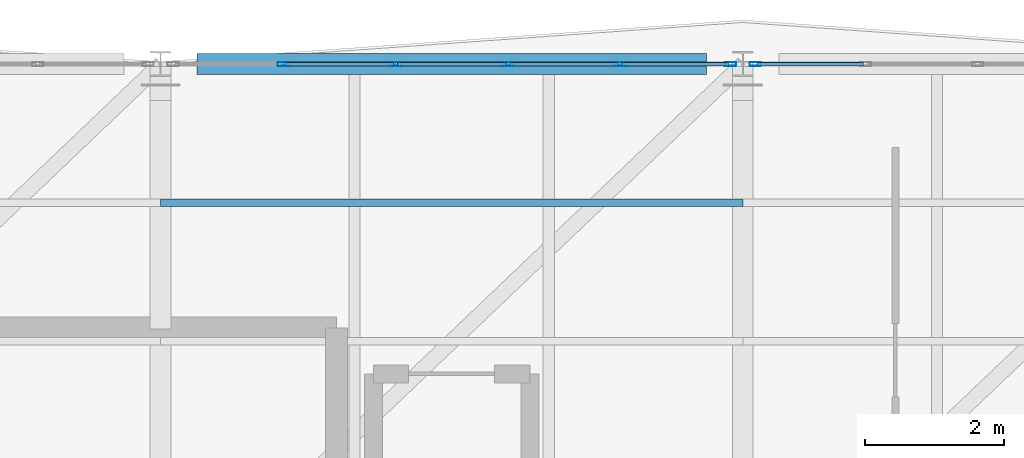
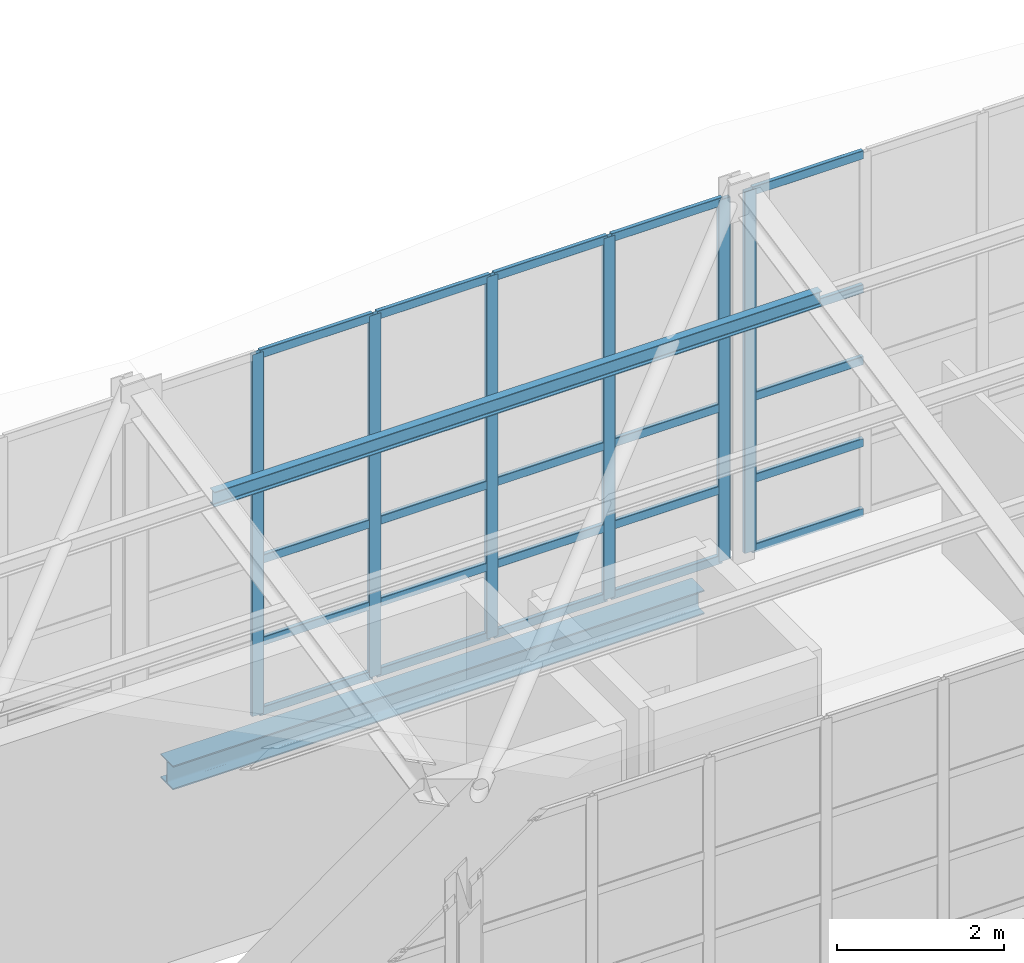
# One storey, part 118 of 177: 32 members, 1 beam, 2 elements without a shape of their own.
"""IFC4 building model written with IfcOpenShell, lengths in metres."""

from ifc_helpers import new_model, si_unit, direction, frame, origin, origin_2d, place, context, subcontext, project, spatial, hollow_rectangle, i_section, extrude, material, layer, layer_set, material_profile, profile_set, type_object, element, aggregate, save


model = new_model("IFC4")

# Units and contexts
model_context = context("Model", 3, precision=1e-05, world=origin(), true_north=direction((0.0, 1.0)))
body_context = subcontext(model_context, "Body", "Model", "MODEL_VIEW")
ifc_project = project(units=[si_unit("LENGTHUNIT", "METRE"), si_unit("AREAUNIT", "SQUARE_METRE"), si_unit("VOLUMEUNIT", "CUBIC_METRE"), si_unit("PLANEANGLEUNIT", "RADIAN"), si_unit("MASSUNIT", "GRAM", prefix="KILO"), si_unit("THERMODYNAMICTEMPERATUREUNIT", "KELVIN"), si_unit("POWERUNIT", "WATT")], contexts=[model_context])

# Site, building, storey
site_placement = place(None, origin())
site = spatial("IfcSite", under=ifc_project, at=site_placement, CompositionType="ELEMENT")
building_placement = place(site_placement, origin())
building = spatial("IfcBuilding", under=site, at=building_placement, Name="Mavoryth Pier Ferry Terminal", CompositionType="ELEMENT")
storey_placement = place(building_placement, frame((0.0, 0.0, 5.43994140625)))
storey = spatial("IfcBuildingStorey", under=building, at=storey_placement, Name="L01", CompositionType="ELEMENT", Elevation=5.43994140625)

# Curtain wall, members
ifc_material_1 = material(Name="Anodised Aluminium and Solar-Control Low-E Glass", Category="aluminium")
ifc_layer = layer(ifc_material_1, 0.139892578125, Name="Anodised Aluminium and Solar-Control Low-E Glass", Category="aluminium")
ifc_layer_set = layer_set([ifc_layer], Name="Anodised Aluminium and Solar-Control Low-E Glass - CW-Gallery-Mod1600")
curtain_wall_type = type_object("IfcCurtainWallType", Name="CW-Gallery-Mod1600", PredefinedType="USERDEFINED", material=ifc_layer_set)
curtain_wall_1_placement = place(storey_placement, origin())
curtain_wall_1 = element("IfcCurtainWall", 1, at=curtain_wall_1_placement, inside=storey, type_object=curtain_wall_type, Name="Curtain Wall CW-0122-092", ObjectType="UNITISED CURTAIN WALL", PredefinedType="USERDEFINED")
ifc_material_2 = material(Name="Anodised Aluminium EN AW-6063", Category="aluminium")
ifc_material_profile_1 = material_profile(ifc_material_2, hollow_rectangle(XDim=0.06005859375, YDim=0.1650390625, WallThickness=0.00390625, InnerFilletRadius=0.00390625, OuterFilletRadius=0.008056640625, at=origin_2d()), Name="AL-MULL 165x60x4", Category="aluminium")
ifc_profile_set_1 = profile_set([ifc_material_profile_1], Name="Anodised Aluminium EN AW-6063 - AL-MULL 165x60x4")
member_type_1 = type_object("IfcMemberType", Name="Mullion-Alum-165x60", PredefinedType="MULLION", material=ifc_profile_set_1)
member_1_placement = place(storey_placement, frame((142.6201171875, 114.0, 0.0), z_axis=(0.0, 0.0, 1.0), x_axis=(0.0, -1.0, 0.0)))
member_1 = element("IfcMember", 2, at=member_1_placement, type_object=member_type_1, Name="CW05 mullion 1", PredefinedType="MULLION", context=body_context, shape_type="SweptSolid", body=[
    extrude(hollow_rectangle(XDim=0.06005859375, YDim=0.1650390625, WallThickness=0.00390625, InnerFilletRadius=0.00390625, OuterFilletRadius=0.008056640625, at=origin_2d()), origin(), (0.0, 0.0, 1.0), 5.28759765625),
])
member_2_placement = place(storey_placement, frame((141.030029296875, 114.0, 0.0), z_axis=(0.0, 0.0, 1.0), x_axis=(0.0, -1.0, 0.0)))
member_2 = element("IfcMember", 3, at=member_2_placement, type_object=member_type_1, Name="CW05 mullion 2", PredefinedType="MULLION", context=body_context, shape_type="SweptSolid", body=[
    extrude(hollow_rectangle(XDim=0.06005859375, YDim=0.1650390625, WallThickness=0.00390625, InnerFilletRadius=0.00390625, OuterFilletRadius=0.008056640625, at=origin_2d()), origin(), (0.0, 0.0, 1.0), 5.28759765625),
])
member_3_placement = place(storey_placement, frame((139.409912109375, 114.0, 0.0), z_axis=(0.0, 0.0, 1.0), x_axis=(0.0, -1.0, 0.0)))
member_3 = element("IfcMember", 4, at=member_3_placement, type_object=member_type_1, Name="CW05 mullion 3", PredefinedType="MULLION", context=body_context, shape_type="SweptSolid", body=[
    extrude(hollow_rectangle(XDim=0.06005859375, YDim=0.1650390625, WallThickness=0.00390625, InnerFilletRadius=0.00390625, OuterFilletRadius=0.008056640625, at=origin_2d()), origin(), (0.0, 0.0, 1.0), 5.28759765625),
])
member_4_placement = place(storey_placement, frame((137.7900390625, 114.0, 0.0), z_axis=(0.0, 0.0, 1.0), x_axis=(0.0, -1.0, 0.0)))
member_4 = element("IfcMember", 5, at=member_4_placement, type_object=member_type_1, Name="CW05 mullion 4", PredefinedType="MULLION", context=body_context, shape_type="SweptSolid", body=[
    extrude(hollow_rectangle(XDim=0.06005859375, YDim=0.1650390625, WallThickness=0.00390625, InnerFilletRadius=0.00390625, OuterFilletRadius=0.008056640625, at=origin_2d()), origin(), (0.0, 0.0, 1.0), 5.28759765625),
])
member_5_placement = place(storey_placement, frame((136.169921875, 114.0, 0.0), z_axis=(0.0, 0.0, 1.0), x_axis=(0.0, -1.0, 0.0)))
member_5 = element("IfcMember", 6, at=member_5_placement, type_object=member_type_1, Name="CW05 mullion 5", PredefinedType="MULLION", context=body_context, shape_type="SweptSolid", body=[
    extrude(hollow_rectangle(XDim=0.06005859375, YDim=0.1650390625, WallThickness=0.00390625, InnerFilletRadius=0.00390625, OuterFilletRadius=0.008056640625, at=origin_2d()), origin(), (0.0, 0.0, 1.0), 5.28759765625),
])

# Curtain wall, member
curtain_wall_2_placement = place(storey_placement, origin())
curtain_wall_2 = element("IfcCurtainWall", 7, at=curtain_wall_2_placement, inside=storey, type_object=curtain_wall_type, Name="Curtain Wall CW-0122-094", ObjectType="UNITISED CURTAIN WALL", PredefinedType="USERDEFINED")
member_6_placement = place(storey_placement, frame((142.97998046875, 114.0, 0.0), z_axis=(0.0, 0.0, 1.0), x_axis=(0.0, -1.0, 0.0)))
member_6 = element("IfcMember", 8, at=member_6_placement, type_object=member_type_1, Name="CW05 mullion 6", PredefinedType="MULLION", context=body_context, shape_type="SweptSolid", body=[
    extrude(hollow_rectangle(XDim=0.06005859375, YDim=0.1650390625, WallThickness=0.00390625, InnerFilletRadius=0.00390625, OuterFilletRadius=0.008056640625, at=origin_2d()), origin(), (0.0, 0.0, 1.0), 5.28759765625),
])

# Member
ifc_material_3 = material(Name="Steel S355J2", Category="steel")
ifc_material_profile_2 = material_profile(ifc_material_3, i_section(OverallWidth=0.110107421875, OverallDepth=0.219970703125, WebThickness=0.005859375, FlangeThickness=0.00927734375, FilletRadius=0.011962890625, at=origin_2d()), Name="IPE 220", Category="steel")
ifc_profile_set_2 = profile_set([ifc_material_profile_2], Name="Steel S355J2 - IPE 220")
member_type_2 = type_object("IfcMemberType", Name="Purlin-Roof-IPE220", PredefinedType="PURLIN", material=ifc_profile_set_2)
member_7_placement = place(storey_placement, frame((134.39990234375, 112.0, 4.991943359375), z_axis=(1.0, 0.0, 0.0), x_axis=(0.0, 1.0, 0.0)))
element("IfcMember", 9, at=member_7_placement, inside=storey, type_object=member_type_2, Name="Steel Member MB-L01-0292", PredefinedType="PURLIN", context=body_context, shape_type="SweptSolid", body=[
    extrude(i_section(OverallWidth=0.110107421875, OverallDepth=0.219970703125, WebThickness=0.005859375, FlangeThickness=0.00927734375, FilletRadius=0.011962890625, at=origin_2d()), origin(), (0.0, 0.0, 1.0), 8.400146484375),
])

# Beam
ifc_material_profile_3 = material_profile(ifc_material_3, i_section(OverallWidth=0.300048828125, OverallDepth=0.35009765625, WebThickness=0.010009765625, FlangeThickness=0.017578125, FilletRadius=0.027099609375, at=origin_2d()), Name="HEA 360", Category="steel")
ifc_profile_set_3 = profile_set([ifc_material_profile_3], Name="Steel S355J2 - HEA 360")
beam_type = type_object("IfcBeamType", Name="Spandrel-Steel-HEA360", PredefinedType="SPANDREL", material=ifc_profile_set_3)
beam_placement = place(storey_placement, frame((134.925048828125, 114.0, -0.4150390625), z_axis=(1.0, 0.0, 0.0), x_axis=(0.0, 1.0, 0.0)))
element("IfcBeam", 10, at=beam_placement, inside=storey, type_object=beam_type, Name="Beam B01-SP03-0276", PredefinedType="SPANDREL", context=body_context, shape_type="SweptSolid", body=[
    extrude(i_section(OverallWidth=0.300048828125, OverallDepth=0.35009765625, WebThickness=0.010009765625, FlangeThickness=0.017578125, FilletRadius=0.027099609375, at=origin_2d()), origin(), (0.0, 0.0, 1.0), 7.349853515625),
])

# Member
ifc_material_profile_4 = material_profile(ifc_material_2, hollow_rectangle(XDim=0.06005859375, YDim=0.125, WallThickness=0.00390625, InnerFilletRadius=0.00390625, OuterFilletRadius=0.008056640625, at=origin_2d()), Name="AL-TRAN 125x60x4", Category="aluminium")
ifc_profile_set_4 = profile_set([ifc_material_profile_4], Name="Anodised Aluminium EN AW-6063 - AL-TRAN 125x60x4")
member_type_3 = type_object("IfcMemberType", Name="Transom-Alum-125x60", PredefinedType="USERDEFINED", material=ifc_profile_set_4)
member_8_placement = place(storey_placement, frame((142.590087890625, 114.0, 0.030029296875), z_axis=(-1.0, 0.0, 0.0), x_axis=(0.0, -1.0, 0.0)))
member_8 = element("IfcMember", 11, at=member_8_placement, type_object=member_type_3, Name="CW05 transom 1.1", ObjectType="TRANSOM", PredefinedType="USERDEFINED", context=body_context, shape_type="SweptSolid", body=[
    extrude(hollow_rectangle(XDim=0.06005859375, YDim=0.125, WallThickness=0.00390625, InnerFilletRadius=0.00390625, OuterFilletRadius=0.008056640625, at=origin_2d()), origin(), (0.0, 0.0, 1.0), 1.530029296875),
])

member_9_placement = place(storey_placement, frame((142.590087890625, 114.0, 1.050048828125), z_axis=(-1.0, 0.0, 0.0), x_axis=(0.0, -1.0, 0.0)))
member_9 = element("IfcMember", 12, at=member_9_placement, type_object=member_type_3, Name="CW05 transom 1.2", ObjectType="TRANSOM", PredefinedType="USERDEFINED", context=body_context, shape_type="SweptSolid", body=[
    extrude(hollow_rectangle(XDim=0.06005859375, YDim=0.125, WallThickness=0.00390625, InnerFilletRadius=0.00390625, OuterFilletRadius=0.008056640625, at=origin_2d()), origin(), (0.0, 0.0, 1.0), 1.530029296875),
])

member_10_placement = place(storey_placement, frame((142.590087890625, 114.0, 2.25), z_axis=(-1.0, 0.0, 0.0), x_axis=(0.0, -1.0, 0.0)))
member_10 = element("IfcMember", 13, at=member_10_placement, type_object=member_type_3, Name="CW05 transom 1.3", ObjectType="TRANSOM", PredefinedType="USERDEFINED", context=body_context, shape_type="SweptSolid", body=[
    extrude(hollow_rectangle(XDim=0.06005859375, YDim=0.125, WallThickness=0.00390625, InnerFilletRadius=0.00390625, OuterFilletRadius=0.008056640625, at=origin_2d()), origin(), (0.0, 0.0, 1.0), 1.530029296875),
])

member_11_placement = place(storey_placement, frame((142.590087890625, 114.0, 3.300048828125), z_axis=(-1.0, 0.0, 0.0), x_axis=(0.0, -1.0, 0.0)))
member_11 = element("IfcMember", 14, at=member_11_placement, type_object=member_type_3, Name="CW05 transom 1.4", ObjectType="TRANSOM", PredefinedType="USERDEFINED", context=body_context, shape_type="SweptSolid", body=[
    extrude(hollow_rectangle(XDim=0.06005859375, YDim=0.125, WallThickness=0.00390625, InnerFilletRadius=0.00390625, OuterFilletRadius=0.008056640625, at=origin_2d()), origin(), (0.0, 0.0, 1.0), 1.530029296875),
])

member_12_placement = place(storey_placement, frame((142.590087890625, 114.0, 5.257568359375), z_axis=(-1.0, 0.0, 0.0), x_axis=(0.0, -1.0, 0.0)))
member_12 = element("IfcMember", 15, at=member_12_placement, type_object=member_type_3, Name="CW05 transom 1.5", ObjectType="TRANSOM", PredefinedType="USERDEFINED", context=body_context, shape_type="SweptSolid", body=[
    extrude(hollow_rectangle(XDim=0.06005859375, YDim=0.125, WallThickness=0.00390625, InnerFilletRadius=0.00390625, OuterFilletRadius=0.008056640625, at=origin_2d()), origin(), (0.0, 0.0, 1.0), 1.530029296875),
])

member_13_placement = place(storey_placement, frame((141.0, 114.0, 0.030029296875), z_axis=(-1.0, 0.0, 0.0), x_axis=(0.0, -1.0, 0.0)))
member_13 = element("IfcMember", 16, at=member_13_placement, type_object=member_type_3, Name="CW05 transom 2.1", ObjectType="TRANSOM", PredefinedType="USERDEFINED", context=body_context, shape_type="SweptSolid", body=[
    extrude(hollow_rectangle(XDim=0.06005859375, YDim=0.125, WallThickness=0.00390625, InnerFilletRadius=0.00390625, OuterFilletRadius=0.008056640625, at=origin_2d()), origin(), (0.0, 0.0, 1.0), 1.56005859375),
])

member_14_placement = place(storey_placement, frame((141.0, 114.0, 1.050048828125), z_axis=(-1.0, 0.0, 0.0), x_axis=(0.0, -1.0, 0.0)))
member_14 = element("IfcMember", 17, at=member_14_placement, type_object=member_type_3, Name="CW05 transom 2.2", ObjectType="TRANSOM", PredefinedType="USERDEFINED", context=body_context, shape_type="SweptSolid", body=[
    extrude(hollow_rectangle(XDim=0.06005859375, YDim=0.125, WallThickness=0.00390625, InnerFilletRadius=0.00390625, OuterFilletRadius=0.008056640625, at=origin_2d()), origin(), (0.0, 0.0, 1.0), 1.56005859375),
])

member_15_placement = place(storey_placement, frame((141.0, 114.0, 2.25), z_axis=(-1.0, 0.0, 0.0), x_axis=(0.0, -1.0, 0.0)))
member_15 = element("IfcMember", 18, at=member_15_placement, type_object=member_type_3, Name="CW05 transom 2.3", ObjectType="TRANSOM", PredefinedType="USERDEFINED", context=body_context, shape_type="SweptSolid", body=[
    extrude(hollow_rectangle(XDim=0.06005859375, YDim=0.125, WallThickness=0.00390625, InnerFilletRadius=0.00390625, OuterFilletRadius=0.008056640625, at=origin_2d()), origin(), (0.0, 0.0, 1.0), 1.56005859375),
])

member_16_placement = place(storey_placement, frame((141.0, 114.0, 3.300048828125), z_axis=(-1.0, 0.0, 0.0), x_axis=(0.0, -1.0, 0.0)))
member_16 = element("IfcMember", 19, at=member_16_placement, type_object=member_type_3, Name="CW05 transom 2.4", ObjectType="TRANSOM", PredefinedType="USERDEFINED", context=body_context, shape_type="SweptSolid", body=[
    extrude(hollow_rectangle(XDim=0.06005859375, YDim=0.125, WallThickness=0.00390625, InnerFilletRadius=0.00390625, OuterFilletRadius=0.008056640625, at=origin_2d()), origin(), (0.0, 0.0, 1.0), 1.56005859375),
])

member_17_placement = place(storey_placement, frame((141.0, 114.0, 5.257568359375), z_axis=(-1.0, 0.0, 0.0), x_axis=(0.0, -1.0, 0.0)))
member_17 = element("IfcMember", 20, at=member_17_placement, type_object=member_type_3, Name="CW05 transom 2.5", ObjectType="TRANSOM", PredefinedType="USERDEFINED", context=body_context, shape_type="SweptSolid", body=[
    extrude(hollow_rectangle(XDim=0.06005859375, YDim=0.125, WallThickness=0.00390625, InnerFilletRadius=0.00390625, OuterFilletRadius=0.008056640625, at=origin_2d()), origin(), (0.0, 0.0, 1.0), 1.56005859375),
])

member_18_placement = place(storey_placement, frame((139.3798828125, 114.0, 0.030029296875), z_axis=(-1.0, 0.0, 0.0), x_axis=(0.0, -1.0, 0.0)))
member_18 = element("IfcMember", 21, at=member_18_placement, type_object=member_type_3, Name="CW05 transom 3.1", ObjectType="TRANSOM", PredefinedType="USERDEFINED", context=body_context, shape_type="SweptSolid", body=[
    extrude(hollow_rectangle(XDim=0.06005859375, YDim=0.125, WallThickness=0.00390625, InnerFilletRadius=0.00390625, OuterFilletRadius=0.008056640625, at=origin_2d()), origin(), (0.0, 0.0, 1.0), 1.559814453125),
])

member_19_placement = place(storey_placement, frame((139.3798828125, 114.0, 1.050048828125), z_axis=(-1.0, 0.0, 0.0), x_axis=(0.0, -1.0, 0.0)))
member_19 = element("IfcMember", 22, at=member_19_placement, type_object=member_type_3, Name="CW05 transom 3.2", ObjectType="TRANSOM", PredefinedType="USERDEFINED", context=body_context, shape_type="SweptSolid", body=[
    extrude(hollow_rectangle(XDim=0.06005859375, YDim=0.125, WallThickness=0.00390625, InnerFilletRadius=0.00390625, OuterFilletRadius=0.008056640625, at=origin_2d()), origin(), (0.0, 0.0, 1.0), 1.559814453125),
])

member_20_placement = place(storey_placement, frame((139.3798828125, 114.0, 2.25), z_axis=(-1.0, 0.0, 0.0), x_axis=(0.0, -1.0, 0.0)))
member_20 = element("IfcMember", 23, at=member_20_placement, type_object=member_type_3, Name="CW05 transom 3.3", ObjectType="TRANSOM", PredefinedType="USERDEFINED", context=body_context, shape_type="SweptSolid", body=[
    extrude(hollow_rectangle(XDim=0.06005859375, YDim=0.125, WallThickness=0.00390625, InnerFilletRadius=0.00390625, OuterFilletRadius=0.008056640625, at=origin_2d()), origin(), (0.0, 0.0, 1.0), 1.559814453125),
])

member_21_placement = place(storey_placement, frame((139.3798828125, 114.0, 3.300048828125), z_axis=(-1.0, 0.0, 0.0), x_axis=(0.0, -1.0, 0.0)))
member_21 = element("IfcMember", 24, at=member_21_placement, type_object=member_type_3, Name="CW05 transom 3.4", ObjectType="TRANSOM", PredefinedType="USERDEFINED", context=body_context, shape_type="SweptSolid", body=[
    extrude(hollow_rectangle(XDim=0.06005859375, YDim=0.125, WallThickness=0.00390625, InnerFilletRadius=0.00390625, OuterFilletRadius=0.008056640625, at=origin_2d()), origin(), (0.0, 0.0, 1.0), 1.559814453125),
])

member_22_placement = place(storey_placement, frame((139.3798828125, 114.0, 5.257568359375), z_axis=(-1.0, 0.0, 0.0), x_axis=(0.0, -1.0, 0.0)))
member_22 = element("IfcMember", 25, at=member_22_placement, type_object=member_type_3, Name="CW05 transom 3.5", ObjectType="TRANSOM", PredefinedType="USERDEFINED", context=body_context, shape_type="SweptSolid", body=[
    extrude(hollow_rectangle(XDim=0.06005859375, YDim=0.125, WallThickness=0.00390625, InnerFilletRadius=0.00390625, OuterFilletRadius=0.008056640625, at=origin_2d()), origin(), (0.0, 0.0, 1.0), 1.559814453125),
])

member_23_placement = place(storey_placement, frame((137.760009765625, 114.0, 0.030029296875), z_axis=(-1.0, 0.0, 0.0), x_axis=(0.0, -1.0, 0.0)))
member_23 = element("IfcMember", 26, at=member_23_placement, type_object=member_type_3, Name="CW05 transom 4.1", ObjectType="TRANSOM", PredefinedType="USERDEFINED", context=body_context, shape_type="SweptSolid", body=[
    extrude(hollow_rectangle(XDim=0.06005859375, YDim=0.125, WallThickness=0.00390625, InnerFilletRadius=0.00390625, OuterFilletRadius=0.008056640625, at=origin_2d()), origin(), (0.0, 0.0, 1.0), 1.56005859375),
])

member_24_placement = place(storey_placement, frame((137.760009765625, 114.0, 1.050048828125), z_axis=(-1.0, 0.0, 0.0), x_axis=(0.0, -1.0, 0.0)))
member_24 = element("IfcMember", 27, at=member_24_placement, type_object=member_type_3, Name="CW05 transom 4.2", ObjectType="TRANSOM", PredefinedType="USERDEFINED", context=body_context, shape_type="SweptSolid", body=[
    extrude(hollow_rectangle(XDim=0.06005859375, YDim=0.125, WallThickness=0.00390625, InnerFilletRadius=0.00390625, OuterFilletRadius=0.008056640625, at=origin_2d()), origin(), (0.0, 0.0, 1.0), 1.56005859375),
])

member_25_placement = place(storey_placement, frame((137.760009765625, 114.0, 2.25), z_axis=(-1.0, 0.0, 0.0), x_axis=(0.0, -1.0, 0.0)))
member_25 = element("IfcMember", 28, at=member_25_placement, type_object=member_type_3, Name="CW05 transom 4.3", ObjectType="TRANSOM", PredefinedType="USERDEFINED", context=body_context, shape_type="SweptSolid", body=[
    extrude(hollow_rectangle(XDim=0.06005859375, YDim=0.125, WallThickness=0.00390625, InnerFilletRadius=0.00390625, OuterFilletRadius=0.008056640625, at=origin_2d()), origin(), (0.0, 0.0, 1.0), 1.56005859375),
])

member_26_placement = place(storey_placement, frame((137.760009765625, 114.0, 3.300048828125), z_axis=(-1.0, 0.0, 0.0), x_axis=(0.0, -1.0, 0.0)))
member_26 = element("IfcMember", 29, at=member_26_placement, type_object=member_type_3, Name="CW05 transom 4.4", ObjectType="TRANSOM", PredefinedType="USERDEFINED", context=body_context, shape_type="SweptSolid", body=[
    extrude(hollow_rectangle(XDim=0.06005859375, YDim=0.125, WallThickness=0.00390625, InnerFilletRadius=0.00390625, OuterFilletRadius=0.008056640625, at=origin_2d()), origin(), (0.0, 0.0, 1.0), 1.56005859375),
])

member_27_placement = place(storey_placement, frame((137.760009765625, 114.0, 5.257568359375), z_axis=(-1.0, 0.0, 0.0), x_axis=(0.0, -1.0, 0.0)))
member_27 = element("IfcMember", 30, at=member_27_placement, type_object=member_type_3, Name="CW05 transom 4.5", ObjectType="TRANSOM", PredefinedType="USERDEFINED", context=body_context, shape_type="SweptSolid", body=[
    extrude(hollow_rectangle(XDim=0.06005859375, YDim=0.125, WallThickness=0.00390625, InnerFilletRadius=0.00390625, OuterFilletRadius=0.008056640625, at=origin_2d()), origin(), (0.0, 0.0, 1.0), 1.56005859375),
])

aggregate(curtain_wall_1, [member_1, member_2, member_3, member_4, member_5, member_8, member_9, member_10, member_11, member_12, member_13, member_14, member_15, member_16, member_17, member_18, member_19, member_20, member_21, member_22, member_23, member_24, member_25, member_26, member_27])

member_28_placement = place(storey_placement, frame((144.5400390625, 114.0, 0.030029296875), z_axis=(-1.0, 0.0, 0.0), x_axis=(0.0, -1.0, 0.0)))
member_28 = element("IfcMember", 31, at=member_28_placement, type_object=member_type_3, Name="CW05 transom 5.1", ObjectType="TRANSOM", PredefinedType="USERDEFINED", context=body_context, shape_type="SweptSolid", body=[
    extrude(hollow_rectangle(XDim=0.06005859375, YDim=0.125, WallThickness=0.00390625, InnerFilletRadius=0.00390625, OuterFilletRadius=0.008056640625, at=origin_2d()), origin(), (0.0, 0.0, 1.0), 1.530029296875),
])

member_29_placement = place(storey_placement, frame((144.5400390625, 114.0, 1.050048828125), z_axis=(-1.0, 0.0, 0.0), x_axis=(0.0, -1.0, 0.0)))
member_29 = element("IfcMember", 32, at=member_29_placement, type_object=member_type_3, Name="CW05 transom 5.2", ObjectType="TRANSOM", PredefinedType="USERDEFINED", context=body_context, shape_type="SweptSolid", body=[
    extrude(hollow_rectangle(XDim=0.06005859375, YDim=0.125, WallThickness=0.00390625, InnerFilletRadius=0.00390625, OuterFilletRadius=0.008056640625, at=origin_2d()), origin(), (0.0, 0.0, 1.0), 1.530029296875),
])

member_30_placement = place(storey_placement, frame((144.5400390625, 114.0, 2.25), z_axis=(-1.0, 0.0, 0.0), x_axis=(0.0, -1.0, 0.0)))
member_30 = element("IfcMember", 33, at=member_30_placement, type_object=member_type_3, Name="CW05 transom 5.3", ObjectType="TRANSOM", PredefinedType="USERDEFINED", context=body_context, shape_type="SweptSolid", body=[
    extrude(hollow_rectangle(XDim=0.06005859375, YDim=0.125, WallThickness=0.00390625, InnerFilletRadius=0.00390625, OuterFilletRadius=0.008056640625, at=origin_2d()), origin(), (0.0, 0.0, 1.0), 1.530029296875),
])

member_31_placement = place(storey_placement, frame((144.5400390625, 114.0, 3.300048828125), z_axis=(-1.0, 0.0, 0.0), x_axis=(0.0, -1.0, 0.0)))
member_31 = element("IfcMember", 34, at=member_31_placement, type_object=member_type_3, Name="CW05 transom 5.4", ObjectType="TRANSOM", PredefinedType="USERDEFINED", context=body_context, shape_type="SweptSolid", body=[
    extrude(hollow_rectangle(XDim=0.06005859375, YDim=0.125, WallThickness=0.00390625, InnerFilletRadius=0.00390625, OuterFilletRadius=0.008056640625, at=origin_2d()), origin(), (0.0, 0.0, 1.0), 1.530029296875),
])

member_32_placement = place(storey_placement, frame((144.5400390625, 114.0, 5.257568359375), z_axis=(-1.0, 0.0, 0.0), x_axis=(0.0, -1.0, 0.0)))
member_32 = element("IfcMember", 35, at=member_32_placement, type_object=member_type_3, Name="CW05 transom 5.5", ObjectType="TRANSOM", PredefinedType="USERDEFINED", context=body_context, shape_type="SweptSolid", body=[
    extrude(hollow_rectangle(XDim=0.06005859375, YDim=0.125, WallThickness=0.00390625, InnerFilletRadius=0.00390625, OuterFilletRadius=0.008056640625, at=origin_2d()), origin(), (0.0, 0.0, 1.0), 1.530029296875),
])

aggregate(curtain_wall_2, [member_6, member_28, member_29, member_30, member_31, member_32])

save(model, "model.ifc")
